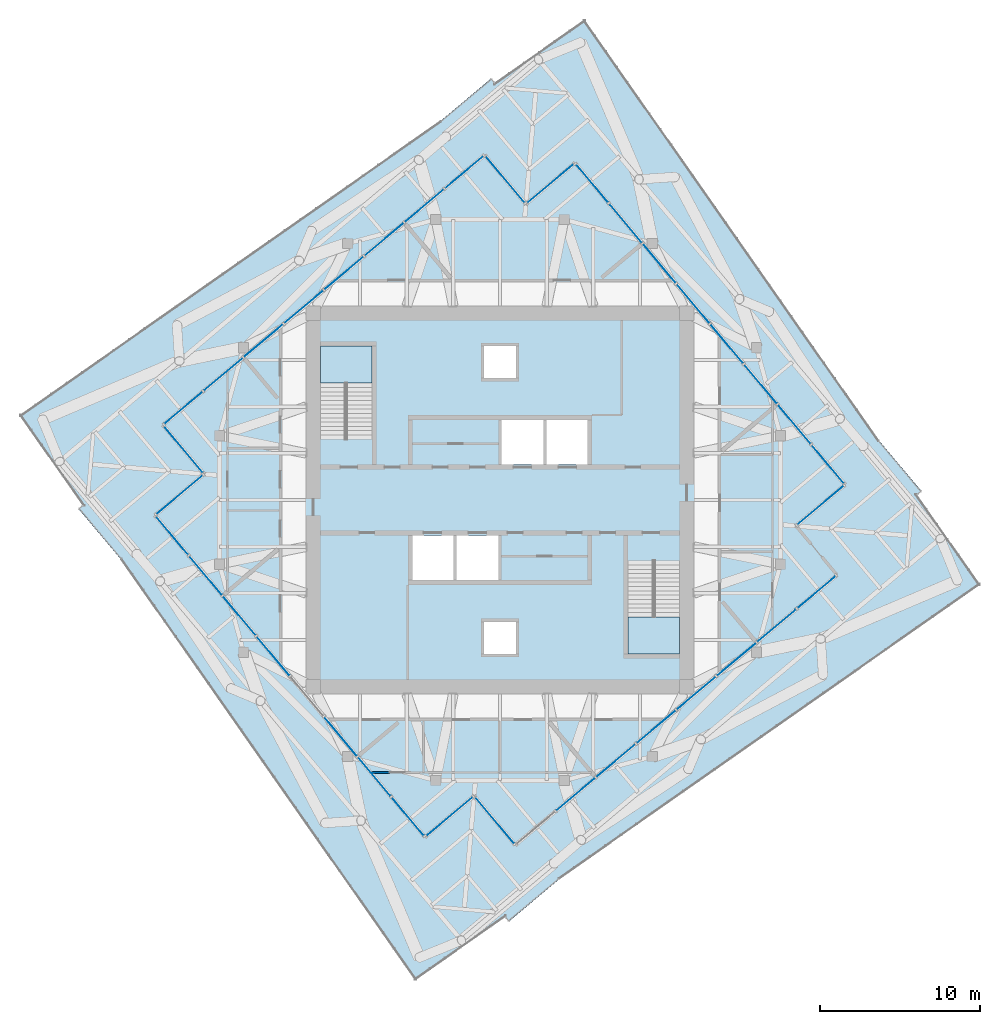
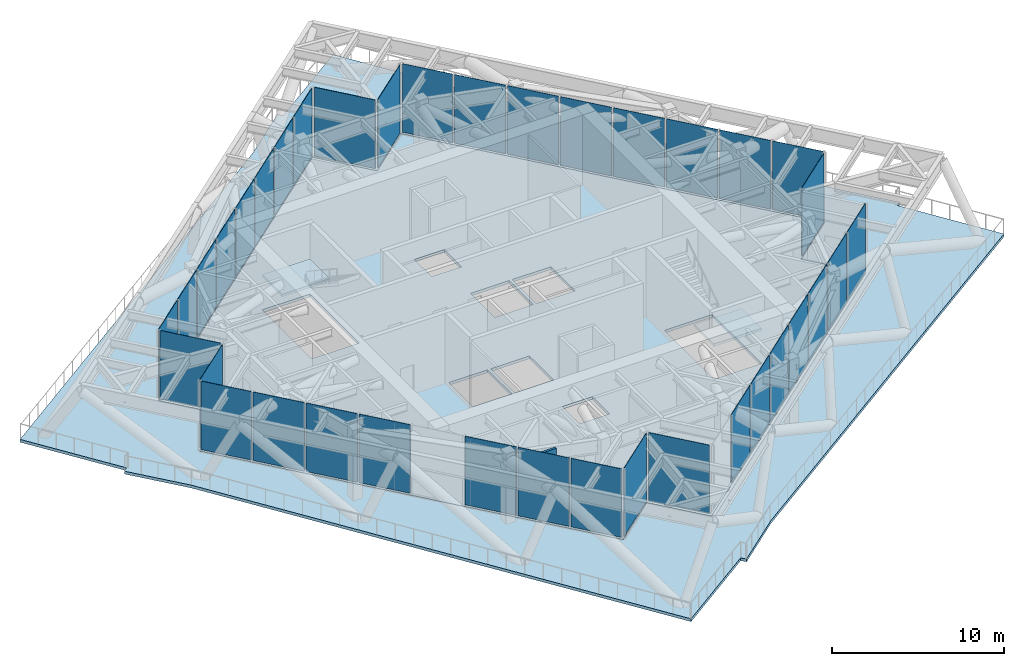
# One storey, part 6 of 15: 37 plates, 4 slabs, 1 wall, 13 elements without a shape of their own.
"""IFC4 building model written with IfcOpenShell, lengths in metres."""

from ifc_helpers import new_model, si_unit, direction, frame, frame_2d, origin, origin_2d, place, context, subcontext, project, spatial, polyline, rectangle, outline, extrude, material, layer, layer_set, type_object, element, aggregate, save


model = new_model("IFC4")

# Units and contexts
model_context = context("Model", 3, precision=1e-05, world=origin(), true_north=direction((0.0, 1.0)))
body_context = subcontext(model_context, "Body", "Model", "MODEL_VIEW")
ifc_project = project(units=[si_unit("LENGTHUNIT", "METRE"), si_unit("AREAUNIT", "SQUARE_METRE"), si_unit("VOLUMEUNIT", "CUBIC_METRE"), si_unit("PLANEANGLEUNIT", "RADIAN"), si_unit("MASSUNIT", "GRAM", prefix="KILO")], contexts=[model_context])

# Site, building, storey
site_placement = place(None, origin())
site = spatial("IfcSite", under=ifc_project, at=site_placement, CompositionType="ELEMENT")
building_placement = place(site_placement, origin())
building = spatial("IfcBuilding", under=site, at=building_placement, Name="Torsade Residences", CompositionType="ELEMENT")
storey_placement = place(building_placement, frame((0.0, 0.0, 267.60009765625)))
storey = spatial("IfcBuildingStorey", under=building, at=storey_placement, Name="L74", CompositionType="ELEMENT", Elevation=267.60009765625)

# Curtain wall, plates
ifc_material_1 = material(Name="Aluminium and glass", Category="aluminium")
curtain_wall_type = type_object("IfcCurtainWallType", Name="TRANSFER LEVEL CURTAIN WALL HIGH ZONE", PredefinedType="NOTDEFINED", material=ifc_material_1)
curtain_wall_1_placement = place(storey_placement, origin())
curtain_wall_1 = element("IfcCurtainWall", 1, at=curtain_wall_1_placement, inside=storey, type_object=curtain_wall_type, Name="Curtain wall L74 face 1", PredefinedType="NOTDEFINED")
ifc_material_2 = material(Name="Laminated glass", Category="glass")
ifc_layer_1 = layer(ifc_material_2, 0.02392578125)
ifc_layer_set_1 = layer_set([ifc_layer_1], Name="Laminated glass")
plate_type = type_object("IfcPlateType", Name="CLEAR GLASS PANEL", PredefinedType="CURTAIN_PANEL", material=ifc_layer_set_1)
plate_1_placement = place(storey_placement, frame((44.7197265625, 11.6376953125, 0.1396484375), z_axis=(0.0, 0.0, 1.0), x_axis=(0.766044424888, 0.642787631413, 0.0)))
plate_1 = element("IfcPlate", 2, at=plate_1_placement, type_object=plate_type, Name="Panel 2", PredefinedType="CURTAIN_PANEL", context=body_context, shape_type="SweptSolid", body=[
    extrude(rectangle(XDim=3.155029296875, YDim=0.02392578125, at=origin_2d()), origin(), (0.0, 0.0, 1.0), 4.860107421875),
])
plate_2_placement = place(storey_placement, frame((47.228515625, 13.742919921875, 0.1396484375), z_axis=(0.0, 0.0, 1.0), x_axis=(0.766044424888, 0.642787631413, 0.0)))
plate_2 = element("IfcPlate", 3, at=plate_2_placement, type_object=plate_type, Name="Panel 3", PredefinedType="CURTAIN_PANEL", context=body_context, shape_type="SweptSolid", body=[
    extrude(rectangle(XDim=3.155029296875, YDim=0.02392578125, at=origin_2d()), origin(), (0.0, 0.0, 1.0), 4.860107421875),
])
plate_3_placement = place(storey_placement, frame((49.7373046875, 15.84814453125, 0.1396484375), z_axis=(0.0, 0.0, 1.0), x_axis=(0.766044424888, 0.642787631413, 0.0)))
plate_3 = element("IfcPlate", 4, at=plate_3_placement, type_object=plate_type, Name="Panel 4", PredefinedType="CURTAIN_PANEL", context=body_context, shape_type="SweptSolid", body=[
    extrude(rectangle(XDim=3.155029296875, YDim=0.02392578125, at=origin_2d()), origin(), (0.0, 0.0, 1.0), 4.860107421875),
])
plate_4_placement = place(storey_placement, frame((52.24609375, 17.953125, 0.1396484375), z_axis=(0.0, 0.0, 1.0), x_axis=(0.766044424888, 0.642787631413, 0.0)))
plate_4 = element("IfcPlate", 5, at=plate_4_placement, type_object=plate_type, Name="Panel 5", PredefinedType="CURTAIN_PANEL", context=body_context, shape_type="SweptSolid", body=[
    extrude(rectangle(XDim=3.155029296875, YDim=0.02392578125, at=origin_2d()), origin(), (0.0, 0.0, 1.0), 4.860107421875),
])
plate_5_placement = place(storey_placement, frame((54.7548828125, 20.058349609375, 0.1396484375), z_axis=(0.0, 0.0, 1.0), x_axis=(0.766044424888, 0.642787631413, 0.0)))
plate_5 = element("IfcPlate", 6, at=plate_5_placement, type_object=plate_type, Name="Panel 6", PredefinedType="CURTAIN_PANEL", context=body_context, shape_type="SweptSolid", body=[
    extrude(rectangle(XDim=3.155029296875, YDim=0.02392578125, at=origin_2d()), origin(), (0.0, 0.0, 1.0), 4.860107421875),
])
plate_6_placement = place(storey_placement, frame((57.263671875, 22.16357421875, 0.1396484375), z_axis=(0.0, 0.0, 1.0), x_axis=(0.766044424888, 0.642787631413, 0.0)))
plate_6 = element("IfcPlate", 7, at=plate_6_placement, type_object=plate_type, Name="Panel 7", PredefinedType="CURTAIN_PANEL", context=body_context, shape_type="SweptSolid", body=[
    extrude(rectangle(XDim=3.155029296875, YDim=0.02392578125, at=origin_2d()), origin(), (0.0, 0.0, 1.0), 4.860107421875),
])
plate_7_placement = place(storey_placement, frame((59.74951171875, 24.249267578125, 0.1396484375), z_axis=(0.0, 0.0, 1.0), x_axis=(0.766044424888, 0.642787631413, 0.0)))
plate_7 = element("IfcPlate", 8, at=plate_7_placement, type_object=plate_type, Name="Panel 8", PredefinedType="CURTAIN_PANEL", context=body_context, shape_type="SweptSolid", body=[
    extrude(rectangle(XDim=3.094970703125, YDim=0.02392578125, at=origin_2d()), origin(), (0.0, 0.0, 1.0), 4.860107421875),
])
aggregate(curtain_wall_1, [plate_1, plate_2, plate_3, plate_4, plate_5, plate_6, plate_7])

# Curtain wall, plate
curtain_wall_2_placement = place(storey_placement, origin())
curtain_wall_2 = element("IfcCurtainWall", 9, at=curtain_wall_2_placement, inside=storey, type_object=curtain_wall_type, Name="Curtain wall L74 face 3", PredefinedType="NOTDEFINED")
plate_8_placement = place(storey_placement, frame((59.98779296875, 29.6708984375, 0.1396484375), z_axis=(0.0, 0.0, 1.0), x_axis=(0.766044397526, 0.642787664022, 0.0)))
plate_8 = element("IfcPlate", 10, at=plate_8_placement, type_object=plate_type, Name="Panel 1", PredefinedType="CURTAIN_PANEL", context=body_context, shape_type="SweptSolid", body=[
    extrude(rectangle(XDim=3.760009765625, YDim=0.02392578125, at=origin_2d()), origin(), (0.0, 0.0, 1.0), 4.860107421875),
])
aggregate(curtain_wall_2, [plate_8])

# Curtain wall, plates
curtain_wall_3_placement = place(storey_placement, origin())
curtain_wall_3 = element("IfcCurtainWall", 11, at=curtain_wall_3_placement, inside=storey, type_object=curtain_wall_type, Name="Curtain wall L74 face 4", PredefinedType="NOTDEFINED")
plate_9_placement = place(storey_placement, frame((60.447998046875, 32.23388671875, 0.1396484375), z_axis=(0.0, 0.0, 1.0), x_axis=(-0.642787631413, 0.766044424888, 0.0)))
plate_9 = element("IfcPlate", 12, at=plate_9_placement, type_object=plate_type, Name="Panel 1", PredefinedType="CURTAIN_PANEL", context=body_context, shape_type="SweptSolid", body=[
    extrude(rectangle(XDim=3.094970703125, YDim=0.02392578125, at=origin_2d()), origin(), (0.0, 0.0, 1.0), 4.860107421875),
])
plate_10_placement = place(storey_placement, frame((58.3623046875, 34.7197265625, 0.1396484375), z_axis=(0.0, 0.0, 1.0), x_axis=(-0.642787631413, 0.766044424888, 0.0)))
plate_10 = element("IfcPlate", 13, at=plate_10_placement, type_object=plate_type, Name="Panel 2", PredefinedType="CURTAIN_PANEL", context=body_context, shape_type="SweptSolid", body=[
    extrude(rectangle(XDim=3.155029296875, YDim=0.02392578125, at=origin_2d()), origin(), (0.0, 0.0, 1.0), 4.860107421875),
])
plate_11_placement = place(storey_placement, frame((56.257080078125, 37.228515625, 0.1396484375), z_axis=(0.0, 0.0, 1.0), x_axis=(-0.642787631413, 0.766044424888, 0.0)))
plate_11 = element("IfcPlate", 14, at=plate_11_placement, type_object=plate_type, Name="Panel 3", PredefinedType="CURTAIN_PANEL", context=body_context, shape_type="SweptSolid", body=[
    extrude(rectangle(XDim=3.155029296875, YDim=0.02392578125, at=origin_2d()), origin(), (0.0, 0.0, 1.0), 4.860107421875),
])
plate_12_placement = place(storey_placement, frame((54.15185546875, 39.7373046875, 0.1396484375), z_axis=(0.0, 0.0, 1.0), x_axis=(-0.642787631413, 0.766044424888, 0.0)))
plate_12 = element("IfcPlate", 15, at=plate_12_placement, type_object=plate_type, Name="Panel 4", PredefinedType="CURTAIN_PANEL", context=body_context, shape_type="SweptSolid", body=[
    extrude(rectangle(XDim=3.155029296875, YDim=0.02392578125, at=origin_2d()), origin(), (0.0, 0.0, 1.0), 4.860107421875),
])
plate_13_placement = place(storey_placement, frame((52.046875, 42.24609375, 0.1396484375), z_axis=(0.0, 0.0, 1.0), x_axis=(-0.642787631413, 0.766044424888, 0.0)))
plate_13 = element("IfcPlate", 16, at=plate_13_placement, type_object=plate_type, Name="Panel 5", PredefinedType="CURTAIN_PANEL", context=body_context, shape_type="SweptSolid", body=[
    extrude(rectangle(XDim=3.155029296875, YDim=0.02392578125, at=origin_2d()), origin(), (0.0, 0.0, 1.0), 4.860107421875),
])
plate_14_placement = place(storey_placement, frame((49.941650390625, 44.7548828125, 0.1396484375), z_axis=(0.0, 0.0, 1.0), x_axis=(-0.642787631413, 0.766044424888, 0.0)))
plate_14 = element("IfcPlate", 17, at=plate_14_placement, type_object=plate_type, Name="Panel 6", PredefinedType="CURTAIN_PANEL", context=body_context, shape_type="SweptSolid", body=[
    extrude(rectangle(XDim=3.155029296875, YDim=0.02392578125, at=origin_2d()), origin(), (0.0, 0.0, 1.0), 4.860107421875),
])
plate_15_placement = place(storey_placement, frame((47.83642578125, 47.263671875, 0.1396484375), z_axis=(0.0, 0.0, 1.0), x_axis=(-0.642787631413, 0.766044424888, 0.0)))
plate_15 = element("IfcPlate", 18, at=plate_15_placement, type_object=plate_type, Name="Panel 7", PredefinedType="CURTAIN_PANEL", context=body_context, shape_type="SweptSolid", body=[
    extrude(rectangle(XDim=3.155029296875, YDim=0.02392578125, at=origin_2d()), origin(), (0.0, 0.0, 1.0), 4.860107421875),
])
plate_16_placement = place(storey_placement, frame((45.750732421875, 49.74951171875, 0.1396484375), z_axis=(0.0, 0.0, 1.0), x_axis=(-0.642787631413, 0.766044424888, 0.0)))
plate_16 = element("IfcPlate", 19, at=plate_16_placement, type_object=plate_type, Name="Panel 8", PredefinedType="CURTAIN_PANEL", context=body_context, shape_type="SweptSolid", body=[
    extrude(rectangle(XDim=3.094970703125, YDim=0.02392578125, at=origin_2d()), origin(), (0.0, 0.0, 1.0), 4.860107421875),
])
aggregate(curtain_wall_3, [plate_9, plate_10, plate_11, plate_12, plate_13, plate_14, plate_15, plate_16])

# Curtain wall, plate
curtain_wall_4_placement = place(storey_placement, origin())
curtain_wall_4 = element("IfcCurtainWall", 20, at=curtain_wall_4_placement, inside=storey, type_object=curtain_wall_type, Name="Curtain wall L74 face 5", PredefinedType="NOTDEFINED")
plate_17_placement = place(storey_placement, frame((43.146728515625, 49.7412109375, 0.1396484375), z_axis=(0.0, 0.0, 1.0), x_axis=(-0.766044417338, -0.642787640411, 0.0)))
plate_17 = element("IfcPlate", 21, at=plate_17_placement, type_object=plate_type, Name="Panel 1", PredefinedType="CURTAIN_PANEL", context=body_context, shape_type="SweptSolid", body=[
    extrude(rectangle(XDim=3.760009765625, YDim=0.02392578125, at=origin_2d()), origin(), (0.0, 0.0, 1.0), 4.860107421875),
])
aggregate(curtain_wall_4, [plate_17])

curtain_wall_5_placement = place(storey_placement, origin())
curtain_wall_5 = element("IfcCurtainWall", 22, at=curtain_wall_5_placement, inside=storey, type_object=curtain_wall_type, Name="Curtain wall L74 face 6", PredefinedType="NOTDEFINED")
plate_18_placement = place(storey_placement, frame((40.3291015625, 49.98779296875, 0.1396484375), z_axis=(0.0, 0.0, 1.0), x_axis=(-0.642787664022, 0.766044397526, 0.0)))
plate_18 = element("IfcPlate", 23, at=plate_18_placement, type_object=plate_type, Name="Panel 1", PredefinedType="CURTAIN_PANEL", context=body_context, shape_type="SweptSolid", body=[
    extrude(rectangle(XDim=3.760009765625, YDim=0.02392578125, at=origin_2d()), origin(), (0.0, 0.0, 1.0), 4.860107421875),
])
aggregate(curtain_wall_5, [plate_18])

# Curtain wall, plates
curtain_wall_6_placement = place(storey_placement, origin())
curtain_wall_6 = element("IfcCurtainWall", 24, at=curtain_wall_6_placement, inside=storey, type_object=curtain_wall_type, Name="Curtain wall L74 face 7", PredefinedType="NOTDEFINED")
plate_19_placement = place(storey_placement, frame((37.76611328125, 50.447998046875, 0.1396484375), z_axis=(0.0, 0.0, 1.0), x_axis=(-0.766044424888, -0.642787631413, 0.0)))
plate_19 = element("IfcPlate", 25, at=plate_19_placement, type_object=plate_type, Name="Panel 1", PredefinedType="CURTAIN_PANEL", context=body_context, shape_type="SweptSolid", body=[
    extrude(rectangle(XDim=3.094970703125, YDim=0.02392578125, at=origin_2d()), origin(), (0.0, 0.0, 1.0), 4.860107421875),
])
plate_20_placement = place(storey_placement, frame((35.2802734375, 48.3623046875, 0.1396484375), z_axis=(0.0, 0.0, 1.0), x_axis=(-0.766044424888, -0.642787631413, 0.0)))
plate_20 = element("IfcPlate", 26, at=plate_20_placement, type_object=plate_type, Name="Panel 2", PredefinedType="CURTAIN_PANEL", context=body_context, shape_type="SweptSolid", body=[
    extrude(rectangle(XDim=3.155029296875, YDim=0.02392578125, at=origin_2d()), origin(), (0.0, 0.0, 1.0), 4.860107421875),
])
plate_21_placement = place(storey_placement, frame((32.771484375, 46.257080078125, 0.1396484375), z_axis=(0.0, 0.0, 1.0), x_axis=(-0.766044424888, -0.642787631413, 0.0)))
plate_21 = element("IfcPlate", 27, at=plate_21_placement, type_object=plate_type, Name="Panel 3", PredefinedType="CURTAIN_PANEL", context=body_context, shape_type="SweptSolid", body=[
    extrude(rectangle(XDim=3.155029296875, YDim=0.02392578125, at=origin_2d()), origin(), (0.0, 0.0, 1.0), 4.860107421875),
])
plate_22_placement = place(storey_placement, frame((30.2626953125, 44.15185546875, 0.1396484375), z_axis=(0.0, 0.0, 1.0), x_axis=(-0.766044424888, -0.642787631413, 0.0)))
plate_22 = element("IfcPlate", 28, at=plate_22_placement, type_object=plate_type, Name="Panel 4", PredefinedType="CURTAIN_PANEL", context=body_context, shape_type="SweptSolid", body=[
    extrude(rectangle(XDim=3.155029296875, YDim=0.02392578125, at=origin_2d()), origin(), (0.0, 0.0, 1.0), 4.860107421875),
])
plate_23_placement = place(storey_placement, frame((27.75390625, 42.046875, 0.1396484375), z_axis=(0.0, 0.0, 1.0), x_axis=(-0.766044424888, -0.642787631413, 0.0)))
plate_23 = element("IfcPlate", 29, at=plate_23_placement, type_object=plate_type, Name="Panel 5", PredefinedType="CURTAIN_PANEL", context=body_context, shape_type="SweptSolid", body=[
    extrude(rectangle(XDim=3.155029296875, YDim=0.02392578125, at=origin_2d()), origin(), (0.0, 0.0, 1.0), 4.860107421875),
])
plate_24_placement = place(storey_placement, frame((25.2451171875, 39.941650390625, 0.1396484375), z_axis=(0.0, 0.0, 1.0), x_axis=(-0.766044424888, -0.642787631413, 0.0)))
plate_24 = element("IfcPlate", 30, at=plate_24_placement, type_object=plate_type, Name="Panel 6", PredefinedType="CURTAIN_PANEL", context=body_context, shape_type="SweptSolid", body=[
    extrude(rectangle(XDim=3.155029296875, YDim=0.02392578125, at=origin_2d()), origin(), (0.0, 0.0, 1.0), 4.860107421875),
])
plate_25_placement = place(storey_placement, frame((22.736328125, 37.83642578125, 0.1396484375), z_axis=(0.0, 0.0, 1.0), x_axis=(-0.766044424888, -0.642787631413, 0.0)))
plate_25 = element("IfcPlate", 31, at=plate_25_placement, type_object=plate_type, Name="Panel 7", PredefinedType="CURTAIN_PANEL", context=body_context, shape_type="SweptSolid", body=[
    extrude(rectangle(XDim=3.155029296875, YDim=0.02392578125, at=origin_2d()), origin(), (0.0, 0.0, 1.0), 4.860107421875),
])
plate_26_placement = place(storey_placement, frame((20.25048828125, 35.750732421875, 0.1396484375), z_axis=(0.0, 0.0, 1.0), x_axis=(-0.766044424888, -0.642787631413, 0.0)))
plate_26 = element("IfcPlate", 32, at=plate_26_placement, type_object=plate_type, Name="Panel 8", PredefinedType="CURTAIN_PANEL", context=body_context, shape_type="SweptSolid", body=[
    extrude(rectangle(XDim=3.094970703125, YDim=0.02392578125, at=origin_2d()), origin(), (0.0, 0.0, 1.0), 4.860107421875),
])
aggregate(curtain_wall_6, [plate_19, plate_20, plate_21, plate_22, plate_23, plate_24, plate_25, plate_26])

# Curtain wall, plate
curtain_wall_7_placement = place(storey_placement, origin())
curtain_wall_7 = element("IfcCurtainWall", 33, at=curtain_wall_7_placement, inside=storey, type_object=curtain_wall_type, Name="Curtain wall L74 face 8", PredefinedType="NOTDEFINED")
plate_27_placement = place(storey_placement, frame((20.2587890625, 33.146728515625, 0.1396484375), z_axis=(0.0, 0.0, 1.0), x_axis=(0.642787640411, -0.766044417338, 0.0)))
plate_27 = element("IfcPlate", 34, at=plate_27_placement, type_object=plate_type, Name="Panel 1", PredefinedType="CURTAIN_PANEL", context=body_context, shape_type="SweptSolid", body=[
    extrude(rectangle(XDim=3.760009765625, YDim=0.02392578125, at=origin_2d()), origin(), (0.0, 0.0, 1.0), 4.860107421875),
])
aggregate(curtain_wall_7, [plate_27])

curtain_wall_8_placement = place(storey_placement, origin())
curtain_wall_8 = element("IfcCurtainWall", 35, at=curtain_wall_8_placement, inside=storey, type_object=curtain_wall_type, Name="Curtain wall L74 face 9", PredefinedType="NOTDEFINED")
plate_28_placement = place(storey_placement, frame((20.01220703125, 30.3291015625, 0.1396484375), z_axis=(0.0, 0.0, 1.0), x_axis=(-0.766044397526, -0.642787664022, 0.0)))
plate_28 = element("IfcPlate", 36, at=plate_28_placement, type_object=plate_type, Name="Panel 1", PredefinedType="CURTAIN_PANEL", context=body_context, shape_type="SweptSolid", body=[
    extrude(rectangle(XDim=3.760009765625, YDim=0.02392578125, at=origin_2d()), origin(), (0.0, 0.0, 1.0), 4.860107421875),
])
aggregate(curtain_wall_8, [plate_28])

# Curtain wall, plates
curtain_wall_9_placement = place(storey_placement, origin())
curtain_wall_9 = element("IfcCurtainWall", 37, at=curtain_wall_9_placement, inside=storey, type_object=curtain_wall_type, Name="Curtain wall L74 face 10", PredefinedType="NOTDEFINED")
plate_29_placement = place(storey_placement, frame((19.552001953125, 27.76611328125, 0.1396484375), z_axis=(0.0, 0.0, 1.0), x_axis=(0.642787631413, -0.766044424888, 0.0)))
plate_29 = element("IfcPlate", 38, at=plate_29_placement, type_object=plate_type, Name="Panel 1", PredefinedType="CURTAIN_PANEL", context=body_context, shape_type="SweptSolid", body=[
    extrude(rectangle(XDim=3.094970703125, YDim=0.02392578125, at=origin_2d()), origin(), (0.0, 0.0, 1.0), 4.860107421875),
])
plate_30_placement = place(storey_placement, frame((21.6376953125, 25.2802734375, 0.1396484375), z_axis=(0.0, 0.0, 1.0), x_axis=(0.642787631413, -0.766044424888, 0.0)))
plate_30 = element("IfcPlate", 39, at=plate_30_placement, type_object=plate_type, Name="Panel 2", PredefinedType="CURTAIN_PANEL", context=body_context, shape_type="SweptSolid", body=[
    extrude(rectangle(XDim=3.155029296875, YDim=0.02392578125, at=origin_2d()), origin(), (0.0, 0.0, 1.0), 4.860107421875),
])
plate_31_placement = place(storey_placement, frame((23.742919921875, 22.771484375, 0.1396484375), z_axis=(0.0, 0.0, 1.0), x_axis=(0.642787631413, -0.766044424888, 0.0)))
plate_31 = element("IfcPlate", 40, at=plate_31_placement, type_object=plate_type, Name="Panel 3", PredefinedType="CURTAIN_PANEL", context=body_context, shape_type="SweptSolid", body=[
    extrude(rectangle(XDim=3.155029296875, YDim=0.02392578125, at=origin_2d()), origin(), (0.0, 0.0, 1.0), 4.860107421875),
])
plate_32_placement = place(storey_placement, frame((25.84814453125, 20.2626953125, 0.1396484375), z_axis=(0.0, 0.0, 1.0), x_axis=(0.642787631413, -0.766044424888, 0.0)))
plate_32 = element("IfcPlate", 41, at=plate_32_placement, type_object=plate_type, Name="Panel 4", PredefinedType="CURTAIN_PANEL", context=body_context, shape_type="SweptSolid", body=[
    extrude(rectangle(XDim=3.155029296875, YDim=0.02392578125, at=origin_2d()), origin(), (0.0, 0.0, 1.0), 4.860107421875),
])
plate_33_placement = place(storey_placement, frame((30.058349609375, 15.2451171875, 0.1396484375), z_axis=(0.0, 0.0, 1.0), x_axis=(0.642787631413, -0.766044424888, 0.0)))
plate_33 = element("IfcPlate", 42, at=plate_33_placement, type_object=plate_type, Name="Panel 6", PredefinedType="CURTAIN_PANEL", context=body_context, shape_type="SweptSolid", body=[
    extrude(rectangle(XDim=3.155029296875, YDim=0.02392578125, at=origin_2d()), origin(), (0.0, 0.0, 1.0), 4.860107421875),
])
plate_34_placement = place(storey_placement, frame((32.16357421875, 12.736328125, 0.1396484375), z_axis=(0.0, 0.0, 1.0), x_axis=(0.642787631413, -0.766044424888, 0.0)))
plate_34 = element("IfcPlate", 43, at=plate_34_placement, type_object=plate_type, Name="Panel 7", PredefinedType="CURTAIN_PANEL", context=body_context, shape_type="SweptSolid", body=[
    extrude(rectangle(XDim=3.155029296875, YDim=0.02392578125, at=origin_2d()), origin(), (0.0, 0.0, 1.0), 4.860107421875),
])
plate_35_placement = place(storey_placement, frame((34.249267578125, 10.25048828125, 0.1396484375), z_axis=(0.0, 0.0, 1.0), x_axis=(0.642787631413, -0.766044424888, 0.0)))
plate_35 = element("IfcPlate", 44, at=plate_35_placement, type_object=plate_type, Name="Panel 8", PredefinedType="CURTAIN_PANEL", context=body_context, shape_type="SweptSolid", body=[
    extrude(rectangle(XDim=3.094970703125, YDim=0.02392578125, at=origin_2d()), origin(), (0.0, 0.0, 1.0), 4.860107421875),
])
aggregate(curtain_wall_9, [plate_29, plate_30, plate_31, plate_32, plate_33, plate_34, plate_35])

# Curtain wall, plate
curtain_wall_10_placement = place(storey_placement, origin())
curtain_wall_10 = element("IfcCurtainWall", 45, at=curtain_wall_10_placement, inside=storey, type_object=curtain_wall_type, Name="Curtain wall L74 face 11", PredefinedType="NOTDEFINED")
plate_36_placement = place(storey_placement, frame((36.853271484375, 10.2587890625, 0.1396484375), z_axis=(0.0, 0.0, 1.0), x_axis=(0.766044417338, 0.642787640411, 0.0)))
plate_36 = element("IfcPlate", 46, at=plate_36_placement, type_object=plate_type, Name="Panel 1", PredefinedType="CURTAIN_PANEL", context=body_context, shape_type="SweptSolid", body=[
    extrude(rectangle(XDim=3.760009765625, YDim=0.02392578125, at=origin_2d()), origin(), (0.0, 0.0, 1.0), 4.860107421875),
])
aggregate(curtain_wall_10, [plate_36])

curtain_wall_11_placement = place(storey_placement, origin())
curtain_wall_11 = element("IfcCurtainWall", 47, at=curtain_wall_11_placement, inside=storey, type_object=curtain_wall_type, Name="Curtain wall L74 face 12", PredefinedType="NOTDEFINED")
plate_37_placement = place(storey_placement, frame((39.6708984375, 10.01220703125, 0.1396484375), z_axis=(0.0, 0.0, 1.0), x_axis=(0.642787664022, -0.766044397526, 0.0)))
plate_37 = element("IfcPlate", 48, at=plate_37_placement, type_object=plate_type, Name="Panel 1", PredefinedType="CURTAIN_PANEL", context=body_context, shape_type="SweptSolid", body=[
    extrude(rectangle(XDim=3.760009765625, YDim=0.02392578125, at=origin_2d()), origin(), (0.0, 0.0, 1.0), 4.860107421875),
])
aggregate(curtain_wall_11, [plate_37])

# Stair, slab
ifc_material_3 = material(Name="Precast concrete 40 MPa", Category="concrete")
stair_type = type_object("IfcStairType", Name="HALF-TURN FIRE STAIR 1500x5000", PredefinedType="HALF_TURN_STAIR", material=ifc_material_3)
stair_1_placement = place(storey_placement, origin())
stair_1 = element("IfcStair", 49, at=stair_1_placement, inside=storey, type_object=stair_type, Name="Stair ST1 L74", PredefinedType="HALF_TURN_STAIR")
ifc_material_4 = material(Name="Precast concrete 40 MPa", Category="concrete")
ifc_layer_2 = layer(ifc_material_4, 0.179931640625)
ifc_layer_set_2 = layer_set([ifc_layer_2], Name="Precast concrete 40 MPa")
slab_type_1 = type_object("IfcSlabType", Name="PRECAST STAIR LANDING 180", PredefinedType="LANDING", material=ifc_layer_set_2)
slab_1_placement = place(storey_placement, frame((0.0, 0.0, 2.31982421875)))
slab_1 = element("IfcSlab", 50, at=slab_1_placement, type_object=slab_type_1, Name="ST1 landing 1", PredefinedType="LANDING", context=body_context, shape_type="SweptSolid", body=[
    extrude(outline(polyline([(28.800048828125, 37.2900390625), (32.0, 37.2900390625), (32.0, 39.60009765625), (28.800048828125, 39.60009765625), (28.800048828125, 37.2900390625)])), origin(), (0.0, 0.0, 1.0), 0.18017578125),
])
aggregate(stair_1, [slab_1])

stair_2_placement = place(storey_placement, origin())
stair_2 = element("IfcStair", 51, at=stair_2_placement, inside=storey, type_object=stair_type, Name="Stair ST2 L74", PredefinedType="HALF_TURN_STAIR")
slab_2_placement = place(storey_placement, frame((0.0, 0.0, 2.31982421875)))
slab_2 = element("IfcSlab", 52, at=slab_2_placement, type_object=slab_type_1, Name="ST2 landing 1", PredefinedType="LANDING", context=body_context, shape_type="SweptSolid", body=[
    extrude(outline(polyline([(48.0, 20.39990234375), (51.199951171875, 20.39990234375), (51.199951171875, 22.7099609375), (48.0, 22.7099609375), (48.0, 20.39990234375)])), origin(), (0.0, 0.0, 1.0), 0.18017578125),
])
aggregate(stair_2, [slab_2])

# Slabs
ifc_material_5 = material(Name="Concrete 40 MPa", Category="concrete")
ifc_layer_3 = layer(ifc_material_5, 0.199951171875)
ifc_layer_set_3 = layer_set([ifc_layer_3], Name="Concrete 40 MPa")
slab_type_2 = type_object("IfcSlabType", Name="TRANSFER FLOOR SLAB 200", PredefinedType="FLOOR", material=ifc_layer_set_3)
slab_3_placement = place(storey_placement, frame((0.0, 0.0, -0.2001953125)))
element("IfcSlab", 53, at=slab_3_placement, inside=storey, type_object=slab_type_2, Name="Floor slab L74", PredefinedType="FLOOR", context=body_context, shape_type="SweptSolid", body=[
    extrude(outline(polyline([(40.95654296875, 8.480224609375), (61.02685546875, 25.321044921875), (58.455810546875, 28.38525390625), (61.519775390625, 30.95654296875), (44.678955078125, 51.02685546875), (41.61474609375, 48.455810546875), (39.04345703125, 51.519775390625), (18.97314453125, 34.678955078125), (21.544189453125, 31.61474609375), (18.480224609375, 29.04345703125), (35.321044921875, 8.97314453125), (38.38525390625, 11.544189453125), (40.95654296875, 8.480224609375)]), holes=[polyline([(51.199951171875, 26.1201171875), (48.0, 26.1201171875), (48.0, 20.39990234375), (51.199951171875, 20.39990234375), (51.199951171875, 26.1201171875)]), polyline([(45.5, 35.0), (42.89990234375, 35.0), (42.89990234375, 32.199951171875), (45.5, 32.199951171875), (45.5, 35.0)]), polyline([(42.699951171875, 35.0), (40.10009765625, 35.0), (40.10009765625, 32.199951171875), (42.699951171875, 32.199951171875), (42.699951171875, 35.0)]), polyline([(41.0, 22.39990234375), (39.0, 22.39990234375), (39.0, 20.39990234375), (41.0, 20.39990234375), (41.0, 22.39990234375)]), polyline([(41.0, 39.60009765625), (39.0, 39.60009765625), (39.0, 37.60009765625), (41.0, 37.60009765625), (41.0, 39.60009765625)]), polyline([(39.89990234375, 27.800048828125), (37.300048828125, 27.800048828125), (37.300048828125, 25.0), (39.89990234375, 25.0), (39.89990234375, 27.800048828125)]), polyline([(37.10009765625, 27.800048828125), (34.5, 27.800048828125), (34.5, 25.0), (37.10009765625, 25.0), (37.10009765625, 27.800048828125)]), polyline([(32.0, 39.60009765625), (28.800048828125, 39.60009765625), (28.800048828125, 33.8798828125), (32.0, 33.8798828125), (32.0, 39.60009765625)])]), origin(), (0.0, 0.0, 1.0), 0.2001953125),
])
ifc_material_6 = material(Name="Concrete 40 MPa", Category="concrete")
ifc_layer_4 = layer(ifc_material_6, 0.199951171875)
ifc_layer_set_4 = layer_set([ifc_layer_4], Name="Concrete 40 MPa")
slab_type_3 = type_object("IfcSlabType", Name="TRANSFER LEDGE SLAB 200", PredefinedType="ROOF", material=ifc_layer_set_4)
slab_4_placement = place(storey_placement, frame((0.0, 0.0, -0.2001953125)))
element("IfcSlab", 54, at=slab_4_placement, inside=storey, type_object=slab_type_3, Name="Transfer ledge slab L74 north-east", PredefinedType="ROOF", context=body_context, shape_type="SweptSolid", body=[
    extrude(outline(polyline([(34.72021484375, 0.056396484375), (40.30517578125, 3.967041015625), (40.537353515625, 3.690185546875), (43.7021484375, 6.345703125), (69.943603515625, 24.72021484375), (66.032958984375, 30.30517578125), (66.309814453125, 30.537353515625), (63.654296875, 33.7021484375), (45.27978515625, 59.943603515625), (39.69482421875, 56.032958984375), (39.462646484375, 56.309814453125), (36.2978515625, 53.654296875), (10.056396484375, 35.27978515625), (13.967041015625, 29.69482421875), (13.690185546875, 29.462646484375), (16.345703125, 26.2978515625), (34.72021484375, 0.056396484375)]), holes=[polyline([(61.02685546875, 25.321044921875), (58.455810546875, 28.38525390625), (61.519775390625, 30.95654296875), (44.678955078125, 51.02685546875), (41.61474609375, 48.455810546875), (39.04345703125, 51.519775390625), (18.97314453125, 34.678955078125), (21.544189453125, 31.61474609375), (18.480224609375, 29.04345703125), (35.321044921875, 8.97314453125), (38.38525390625, 11.544189453125), (40.95654296875, 8.480224609375), (61.02685546875, 25.321044921875)])]), origin(), (0.0, 0.0, 1.0), 0.2001953125),
])

# Wall
ifc_material_7 = material(Name="Reinforced blockwork", Category="masonry")
ifc_layer_5 = layer(ifc_material_7, 0.14990234375)
ifc_layer_set_5 = layer_set([ifc_layer_5], Name="Reinforced blockwork")
wall_type = type_object("IfcWallType", Name="SERVICE ROOM WALL 150", PredefinedType="SOLIDWALL", material=ifc_layer_set_5)
wall_placement = place(storey_placement, frame((33.125244140625, 13.0, 0.0), z_axis=(0.0, 0.0, 1.0), x_axis=(-1.0, 0.0, 0.0)))
element("IfcWall", 55, at=wall_placement, inside=storey, type_object=wall_type, Name="Service room wall L74", PredefinedType="SOLIDWALL", context=body_context, shape_type="SweptSolid", body=[
    extrude(rectangle(XDim=1.130859375, YDim=0.14990234375, at=frame_2d((0.5654296875, 0.0))), origin(), (0.0, 0.0, 1.0), 4.849853515625),
])

save(model, "model.ifc")
